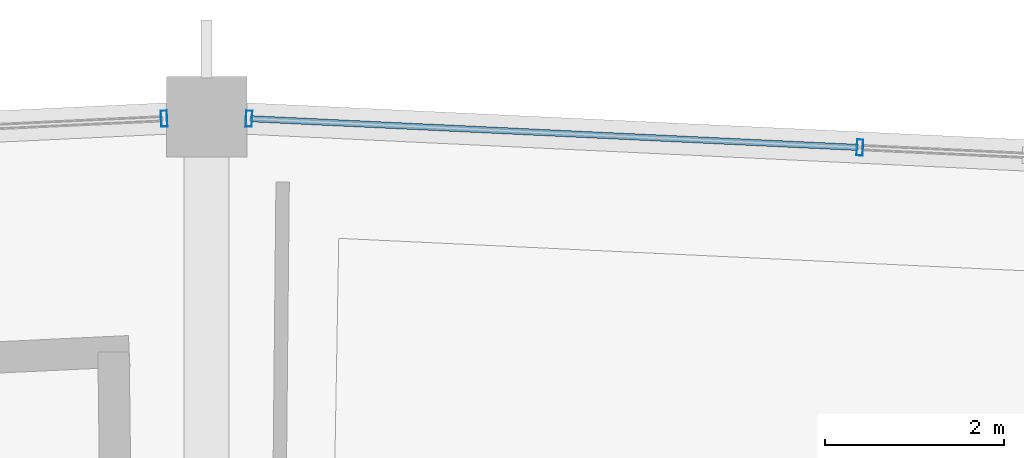
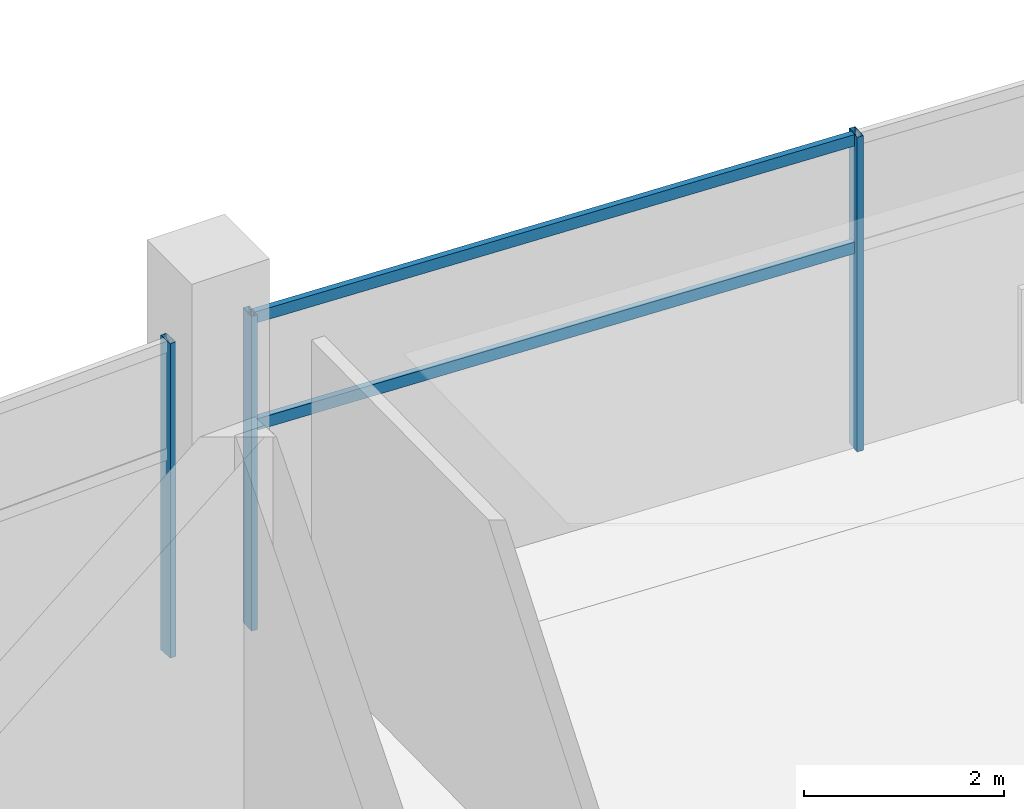
# One storey, part 85 of 156: 5 members, 2 elements without a shape of their own.
"""IFC4 building model written with IfcOpenShell, lengths in metres."""

import ifcopenshell
import ifcopenshell.guid

model = None  # the IFC model being written
_history = None  # IfcOwnerHistory: only IFC2X3 demands one
_inside = {}  # id of a spatial element -> (the spatial element, [elements in it])
_under = {}  # id of a project, library or spatial element -> (it, [spatial elements below it])
_declared = {}  # id of a project -> (the project, [libraries it declares])
_typed = {}  # id of a type object -> (the type object, [elements of that type])
_made_of = {}  # id of a material, layer set ... -> (it, [elements and type objects made of it])


def new_model(schema):
    """Start an empty IFC model of exactly this schema.

    Asked for "IFC4X3", IfcOpenShell would pick the latest addendum, in which some entities
    have other attributes; the version numbers below select the first issue.
    IFC2X3 requires an IfcOwnerHistory on every rooted entity: one is made here for all.
    """
    global model, _history
    if schema == "IFC4X3":
        model = ifcopenshell.file(schema_version=(4, 3, 0, 0))
    else:
        model = ifcopenshell.file(schema=schema)
    _inside.clear()
    _under.clear()
    _declared.clear()
    _typed.clear()
    _made_of.clear()
    _history = None
    if model.schema == "IFC2X3":
        org = make("IfcOrganization", Name="unknown")
        user = make(
            "IfcPersonAndOrganization",
            ThePerson=make("IfcPerson", FamilyName="unknown"),
            TheOrganization=org,
        )
        app = make(
            "IfcApplication",
            ApplicationDeveloper=org,
            Version="unknown",
            ApplicationFullName="unknown",
            ApplicationIdentifier="unknown",
        )
        _history = make(
            "IfcOwnerHistory",
            OwningUser=user,
            OwningApplication=app,
            ChangeAction="ADDED",
            CreationDate=0,
        )
    return model


def make(cls, **values):
    """One entity of the class cls with the attributes given. An attribute that is None is left unset."""
    return model.create_entity(
        cls, **{name: value for name, value in values.items() if value is not None}
    )


def rooted(cls, **values):
    """An entity with a GlobalId (a new one), such as an element, a storey or a relation."""
    return make(cls, GlobalId=ifcopenshell.guid.new(), OwnerHistory=_history, **values)


def si_unit(unit_type, name, prefix=None):
    """IfcSIUnit, for example si_unit("LENGTHUNIT", "METRE", prefix="MILLI")."""
    return make("IfcSIUnit", UnitType=unit_type, Prefix=prefix, Name=name)


def assignment(units):
    """IfcUnitAssignment: the units of a project."""
    return None if units is None else make("IfcUnitAssignment", Units=units)


def point(xyz):
    """IfcCartesianPoint."""
    return None if xyz is None else make("IfcCartesianPoint", Coordinates=xyz)


def direction(xyz):
    """IfcDirection."""
    return None if xyz is None else make("IfcDirection", DirectionRatios=xyz)


def frame(location, z_axis=None, x_axis=None):
    """IfcAxis2Placement3D, a coordinate frame: its origin and axes. An axis left out is left unset."""
    return make(
        "IfcAxis2Placement3D",
        Location=point(location),
        Axis=direction(z_axis),
        RefDirection=direction(x_axis),
    )


def frame_2d(location, x_axis=None):
    """IfcAxis2Placement2D, a coordinate frame in the plane: its origin and x axis."""
    return make(
        "IfcAxis2Placement2D", Location=point(location), RefDirection=direction(x_axis)
    )


def origin():
    """The frame at (0, 0, 0) with its axes left unset."""
    return frame((0.0, 0.0, 0.0))


def origin_2d():
    """The frame at (0, 0) in the plane with its x axis left unset."""
    return frame_2d((0.0, 0.0))


def place(relative_to, where):
    """IfcLocalPlacement: puts the frame where relative to a parent placement (None: the world)."""
    return make(
        "IfcLocalPlacement", PlacementRelTo=relative_to, RelativePlacement=where
    )


def context(
    kind, dimensions, precision=None, world=None, true_north=None, identifier=None
):
    """IfcGeometricRepresentationContext, for example the 3D "Model" context."""
    return make(
        "IfcGeometricRepresentationContext",
        ContextIdentifier=identifier,
        ContextType=kind,
        CoordinateSpaceDimension=dimensions,
        Precision=precision,
        WorldCoordinateSystem=world,
        TrueNorth=true_north,
    )


def subcontext(parent, identifier, kind, view, scale=None):
    """IfcGeometricRepresentationSubContext, for example "Body" below "Model"."""
    return make(
        "IfcGeometricRepresentationSubContext",
        ContextIdentifier=identifier,
        ContextType=kind,
        ParentContext=parent,
        TargetScale=scale,
        TargetView=view,
    )


def project(units=None, contexts=None):
    """IfcProject with its units and contexts."""
    return rooted(
        "IfcProject",
        Name="project",
        RepresentationContexts=contexts,
        UnitsInContext=assignment(units),
    )


def spatial(cls, under=None, at=None, **own):
    """A site, building, storey or space (cls), placed at a placement, below another one or the project."""
    s = rooted(cls, ObjectPlacement=at, **own)
    if under is not None:
        _under.setdefault(under.id(), (under, []))[1].append(s)
    return s


def profile(cls, at=None, kind="AREA", **sizes):
    """A parametric profile (cls). Its sizes go by their IFC names, for example OverallWidth=200.0."""
    return make(cls, ProfileType=kind, Position=at, **sizes)


def hollow_rectangle(**sizes):
    """IfcRectangleHollowProfileDef."""
    return profile("IfcRectangleHollowProfileDef", **sizes)


def extrude(swept, where, along, depth):
    """IfcExtrudedAreaSolid: the profile swept, set in the frame where, extruded along a direction by depth."""
    return make(
        "IfcExtrudedAreaSolid",
        SweptArea=swept,
        Position=where,
        ExtrudedDirection=direction(along),
        Depth=depth,
    )


def shape(context_of_items, identifier, shape_type, items):
    """IfcShapeRepresentation: the items that make up one representation, for example the "Body"."""
    return make(
        "IfcShapeRepresentation",
        ContextOfItems=context_of_items,
        RepresentationIdentifier=identifier,
        RepresentationType=shape_type,
        Items=items,
    )


def material(Name=None, Category=None):
    """IfcMaterial."""
    return make("IfcMaterial", Name=Name, Category=Category)


def layer(
    of_material, thickness, ventilated=None, Name=None, Category=None, Priority=None
):
    """IfcMaterialLayer: one layer of a wall or slab, of a material (None: an air gap)."""
    return make(
        "IfcMaterialLayer",
        Material=of_material,
        LayerThickness=thickness,
        IsVentilated=ventilated,
        Name=Name,
        Category=Category,
        Priority=Priority,
    )


def layer_set(layers, Name=None):
    """IfcMaterialLayerSet."""
    return make("IfcMaterialLayerSet", MaterialLayers=layers, LayerSetName=Name)


def material_profile(
    of_material, cross_section, Name=None, Category=None, Priority=None
):
    """IfcMaterialProfile: a cross section and its material."""
    return make(
        "IfcMaterialProfile",
        Name=Name,
        Material=of_material,
        Profile=cross_section,
        Priority=Priority,
        Category=Category,
    )


def profile_set(profiles, Name=None, composite=None):
    """IfcMaterialProfileSet."""
    return make(
        "IfcMaterialProfileSet",
        Name=Name,
        MaterialProfiles=profiles,
        CompositeProfile=composite,
    )


def made_of(thing, what):
    """Note that an element or type object is made of a material, layer set ...; save() writes the relation."""
    if what is not None:
        _made_of.setdefault(what.id(), (what, []))[1].append(thing)
    return thing


def type_object(cls, material=None, **own):
    """A type object (cls), such as IfcWallType, which elements share."""
    return made_of(rooted(cls, **own), material)


def element(
    cls,
    number,
    at=None,
    inside=None,
    cuts=None,
    type_object=None,
    material=None,
    context=None,
    identifier="Body",
    shape_type=None,
    held_by="IfcProductDefinitionShape",
    body=None,
    shapes=None,
    **own,
):
    """One element of the class cls, such as IfcWall. Its Tag is "e" and its number.

    at: its placement. inside: the storey or other place that contains it. cuts: it is an
    opening in that element (IfcRelVoidsElement). A single representation is given by context,
    identifier, shape_type and body (its items); several are given by shapes. held_by: the class
    of the entity that holds the representations. save() writes the other relations.
    """
    e = rooted(cls, Tag="e%d" % number, ObjectPlacement=at, **own)
    if body is not None:
        shapes = [shape(context, identifier, shape_type, body)]
    if shapes is not None:
        e.Representation = make(held_by, Representations=shapes)
    if inside is not None:
        _inside.setdefault(inside.id(), (inside, []))[1].append(e)
    if cuts is not None:
        rooted(
            "IfcRelVoidsElement", RelatingBuildingElement=cuts, RelatedOpeningElement=e
        )
    if type_object is not None:
        _typed.setdefault(type_object.id(), (type_object, []))[1].append(e)
    return made_of(e, material)


def aggregate(whole, parts):
    """IfcRelAggregates: a whole, such as a stair, and the parts it consists of."""
    return rooted("IfcRelAggregates", RelatingObject=whole, RelatedObjects=parts)


def save(model, path):
    """Write the relations noted so far, then the file.

    IfcRelAggregates (storeys below a building ...), IfcRelContainedInSpatialStructure (elements
    in a storey), IfcRelDefinesByType, IfcRelAssociatesMaterial and IfcRelDeclares: one each for
    every whole, place, type object, material and project.
    """
    for whole, parts in _under.values():
        aggregate(whole, parts)
    for where, things in _inside.values():
        rooted(
            "IfcRelContainedInSpatialStructure",
            RelatedElements=things,
            RelatingStructure=where,
        )
    for kind, things in _typed.values():
        rooted("IfcRelDefinesByType", RelatedObjects=things, RelatingType=kind)
    for what, things in _made_of.values():
        rooted("IfcRelAssociatesMaterial", RelatedObjects=things, RelatingMaterial=what)
    for by, libraries in _declared.values():
        rooted("IfcRelDeclares", RelatingContext=by, RelatedDefinitions=libraries)
    model.write(path)


model = new_model("IFC4")

# Units and contexts
model_context = context("Model", 3, precision=1e-05, world=origin(), true_north=direction((0.0, 1.0)))
body_context = subcontext(model_context, "Body", "Model", "MODEL_VIEW")
ifc_project = project(units=[si_unit("LENGTHUNIT", "METRE"), si_unit("AREAUNIT", "SQUARE_METRE"), si_unit("VOLUMEUNIT", "CUBIC_METRE"), si_unit("PLANEANGLEUNIT", "RADIAN"), si_unit("MASSUNIT", "GRAM", prefix="KILO")], contexts=[model_context])

# Site, building, storey
site_placement = place(None, origin())
site = spatial("IfcSite", under=ifc_project, at=site_placement, CompositionType="ELEMENT")
building_placement = place(site_placement, origin())
building = spatial("IfcBuilding", under=site, at=building_placement, Name="Kazemori Nagisa Stadium", CompositionType="ELEMENT")
storey_placement = place(building_placement, frame((0.0, 0.0, 5.780029296875)))
storey = spatial("IfcBuildingStorey", under=building, at=storey_placement, Name="L01", CompositionType="ELEMENT", Elevation=5.780029296875)

# Curtain wall, members
ifc_material_1 = material(Name="Anodised aluminium 6063-T5", Category="aluminium")
ifc_layer = layer(ifc_material_1, 0.179931640625, Name="Anodised aluminium 6063-T5", Category="aluminium")
ifc_layer_set = layer_set([ifc_layer], Name="Anodised aluminium 6063-T5")
curtain_wall_type = type_object("IfcCurtainWallType", Name="CW_L01R3_103", PredefinedType="USERDEFINED", material=ifc_layer_set)
curtain_wall_1_placement = place(storey_placement, origin())
curtain_wall_1 = element("IfcCurtainWall", 1, at=curtain_wall_1_placement, inside=storey, type_object=curtain_wall_type, Name="Unitised curtain wall CW-L01R3-103 L01", ObjectType="UNITISED CURTAIN WALL", PredefinedType="USERDEFINED")
ifc_material_2 = material(Name="Aluminium 6063-T5 anodised", Category="aluminium")
ifc_material_profile_1 = material_profile(ifc_material_2, hollow_rectangle(XDim=0.070068359375, YDim=0.179931640625, WallThickness=0.00390625, at=origin_2d()), Name="ALU-MULL-70x180x4")
ifc_profile_set_1 = profile_set([ifc_material_profile_1], Name="Aluminium 6063-T5 anodised")
member_type_1 = type_object("IfcMemberType", Name="Mullion_M01", PredefinedType="MULLION", material=ifc_profile_set_1)
member_1_placement = place(storey_placement, frame((130.30078125, 187.65478515625, 0.0), z_axis=(0.0, 0.0, 1.0), x_axis=(-0.998884022476, 0.047230388971, 0.0)))
member_1 = element("IfcMember", 2, at=member_1_placement, type_object=member_type_1, Name="Curtain wall mullion CW-L01R3-103-M3", PredefinedType="MULLION", context=body_context, shape_type="SweptSolid", body=[
    extrude(hollow_rectangle(XDim=0.070068359375, YDim=0.179931640625, WallThickness=0.00390625, at=origin_2d()), origin(), (0.0, 0.0, 1.0), 3.849853515625),
])
member_2_placement = place(storey_placement, frame((123.474365234375, 187.9775390625, 0.0), z_axis=(0.0, 0.0, 1.0), x_axis=(-0.998884022476, 0.047230388971, 0.0)))
member_2 = element("IfcMember", 3, at=member_2_placement, type_object=member_type_1, Name="Curtain wall mullion CW-L01R3-103-M4", PredefinedType="MULLION", context=body_context, shape_type="SweptSolid", body=[
    extrude(hollow_rectangle(XDim=0.070068359375, YDim=0.179931640625, WallThickness=0.00390625, at=origin_2d()), origin(), (0.0, 0.0, 1.0), 3.849853515625),
])

# Curtain wall, member
curtain_wall_2_placement = place(storey_placement, origin())
curtain_wall_2 = element("IfcCurtainWall", 4, at=curtain_wall_2_placement, inside=storey, type_object=curtain_wall_type, Name="Unitised curtain wall CW-L01R3-103 L01", ObjectType="UNITISED CURTAIN WALL", PredefinedType="USERDEFINED")
member_3_placement = place(storey_placement, frame((122.525634765625, 187.9775390625, 0.0), z_axis=(0.0, 0.0, 1.0), x_axis=(-0.998884022476, -0.047230388971, 0.0)))
member_3 = element("IfcMember", 5, at=member_3_placement, type_object=member_type_1, Name="Curtain wall mullion CW-L01R3-103-M1", PredefinedType="MULLION", context=body_context, shape_type="SweptSolid", body=[
    extrude(hollow_rectangle(XDim=0.070068359375, YDim=0.179931640625, WallThickness=0.00390625, at=origin_2d()), origin(), (0.0, 0.0, 1.0), 3.849853515625),
])
aggregate(curtain_wall_2, [member_3])

# Member
ifc_material_profile_2 = material_profile(ifc_material_2, hollow_rectangle(XDim=0.070068359375, YDim=0.139892578125, WallThickness=0.00390625, at=origin_2d()), Name="ALU-TRAN-70x140x4")
ifc_profile_set_2 = profile_set([ifc_material_profile_2], Name="Aluminium 6063-T5 anodised")
member_type_2 = type_object("IfcMemberType", Name="Transom_T01", PredefinedType="USERDEFINED", material=ifc_profile_set_2)
member_4_placement = place(storey_placement, frame((130.28076171875, 187.65576171875, 2.4638671875), z_axis=(-0.998884581669, 0.047218561007, 0.0), x_axis=(-0.047218561007, -0.998884581669, 0.0)))
member_4 = element("IfcMember", 6, at=member_4_placement, type_object=member_type_2, Name="Curtain wall transom CW-L01R3-103-T3-mid", ObjectType="TRANSOM", PredefinedType="USERDEFINED", context=body_context, shape_type="SweptSolid", body=[
    extrude(hollow_rectangle(XDim=0.070068359375, YDim=0.139892578125, WallThickness=0.00390625, at=origin_2d()), origin(), (0.0, 0.0, 1.0), 6.7939453125),
])

member_5_placement = place(storey_placement, frame((130.28076171875, 187.65576171875, 3.780029296875), z_axis=(-0.998884581669, 0.047218561007, 0.0), x_axis=(-0.047218561007, -0.998884581669, 0.0)))
member_5 = element("IfcMember", 7, at=member_5_placement, type_object=member_type_2, Name="Curtain wall transom CW-L01R3-103-T3-head", ObjectType="TRANSOM", PredefinedType="USERDEFINED", context=body_context, shape_type="SweptSolid", body=[
    extrude(hollow_rectangle(XDim=0.070068359375, YDim=0.139892578125, WallThickness=0.00390625, at=origin_2d()), origin(), (0.0, 0.0, 1.0), 6.7939453125),
])

aggregate(curtain_wall_1, [member_1, member_2, member_4, member_5])

save(model, "model.ifc")
